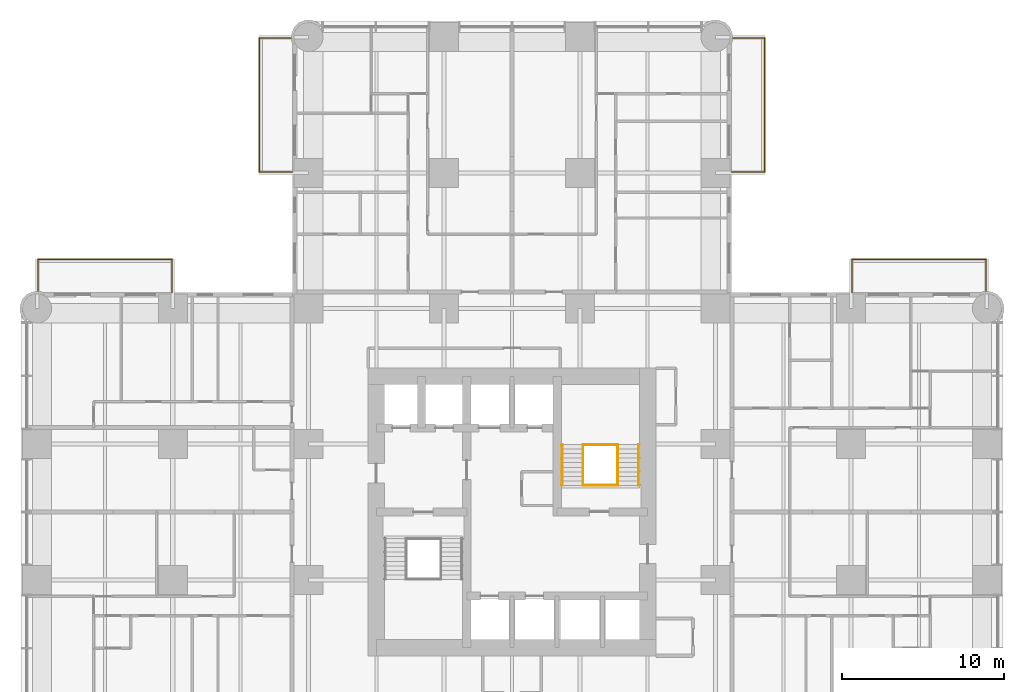
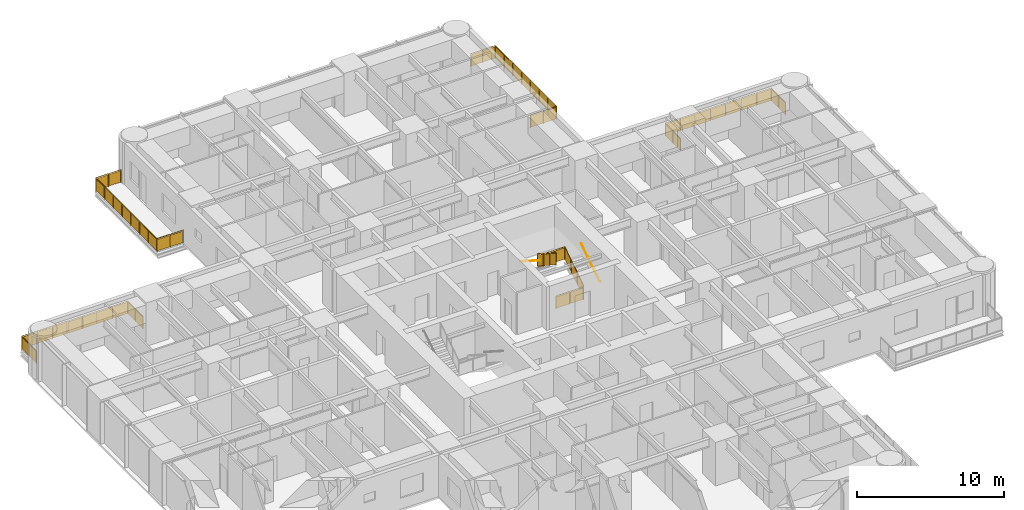
# One storey, part 17 of 17: 10 railings.
"""IFC4 building model written with IfcOpenShell, lengths in metres."""

from ifc_helpers import new_model, si_unit, direction, frame, origin, origin_2d, place, context, subcontext, project, spatial, polyline, circle, outline, extrude, material, constituent, constituent_set, type_object, element, save


model = new_model("IFC4")

# Units and contexts
model_context = context("Model", 3, precision=1e-05, world=origin(), true_north=direction((0.0, 1.0)))
body_context = subcontext(model_context, "Body", "Model", "MODEL_VIEW")
ifc_project = project(units=[si_unit("LENGTHUNIT", "METRE"), si_unit("AREAUNIT", "SQUARE_METRE"), si_unit("VOLUMEUNIT", "CUBIC_METRE"), si_unit("PLANEANGLEUNIT", "RADIAN"), si_unit("MASSUNIT", "GRAM", prefix="KILO")], contexts=[model_context])

# Site, building, storey
site_placement = place(None, origin())
site = spatial("IfcSite", under=ifc_project, at=site_placement, CompositionType="ELEMENT")
building_placement = place(site_placement, origin())
building = spatial("IfcBuilding", under=site, at=building_placement, Name="Torre Alcanfor", CompositionType="ELEMENT")
storey_placement = place(building_placement, frame((0.0, 0.0, 48.89990234375)))
storey = spatial("IfcBuildingStorey", under=building, at=storey_placement, Name="L11", CompositionType="ELEMENT", Elevation=48.89990234375)

# Railings
ifc_material_1 = material(Name="Laminated safety glass", Category="glass")
ifc_constituent_1 = constituent(ifc_material_1, Name="Infill")
ifc_material_2 = material(Name="Stainless steel ASTM A554 Grade MT 316L tube", Category="steel")
ifc_constituent_2 = constituent(ifc_material_2, Name="Posts and rail")
ifc_constituent_set = constituent_set(constituents=[ifc_constituent_1, ifc_constituent_2], Name="Balcony guard glass 1100")
railing_type_1 = type_object("IfcRailingType", Name="Balcony guard glass 1100", PredefinedType="BALUSTRADE", material=ifc_constituent_set)
railing_1_placement = place(storey_placement, frame((15.800048828125, 50.449951171875, 0.0)))
element("IfcRailing", 1, at=railing_1_placement, inside=storey, type_object=railing_type_1, Name="Balcony guard L11-N1", PredefinedType="BALUSTRADE", context=body_context, shape_type="SweptSolid", body=[
    extrude(circle(Radius=0.02392578125, at=origin_2d()), frame((0.0, 0.0, 1.076171875), z_axis=(-1.0, 0.0, 0.0), x_axis=(0.0, -1.0, 0.0)), (0.0, 0.0, 1.0), 2.050048828125),
    extrude(circle(Radius=0.02392578125, at=origin_2d()), frame((-2.050048828125, 0.0, 1.076171875), z_axis=(0.0, 1.0, 0.0), x_axis=(-1.0, 0.0, 0.0)), (0.0, 0.0, 1.0), 8.300048828125),
    extrude(circle(Radius=0.02392578125, at=origin_2d()), frame((-2.050048828125, 8.300048828125, 1.076171875), z_axis=(1.0, 0.0, 0.0), x_axis=(0.0, 1.0, 0.0)), (0.0, 0.0, 1.0), 1.968994140625),
    extrude(circle(Radius=0.02099609375, at=origin_2d()), origin(), (0.0, 0.0, 1.0), 1.052001953125),
    extrude(circle(Radius=0.02099609375, at=origin_2d()), frame((-1.02490234375, 0.0, 0.0)), (0.0, 0.0, 1.0), 1.052001953125),
    extrude(circle(Radius=0.02099609375, at=origin_2d()), frame((-2.050048828125, 0.0, 0.0)), (0.0, 0.0, 1.0), 1.052001953125),
    extrude(circle(Radius=0.02099609375, at=origin_2d()), frame((-2.050048828125, 1.185791015625, 0.0)), (0.0, 0.0, 1.0), 1.052001953125),
    extrude(circle(Radius=0.02099609375, at=origin_2d()), frame((-2.050048828125, 2.371337890625, 0.0)), (0.0, 0.0, 1.0), 1.052001953125),
    extrude(circle(Radius=0.02099609375, at=origin_2d()), frame((-2.050048828125, 3.55712890625, 0.0)), (0.0, 0.0, 1.0), 1.052001953125),
    extrude(circle(Radius=0.02099609375, at=origin_2d()), frame((-2.050048828125, 4.742919921875, 0.0)), (0.0, 0.0, 1.0), 1.052001953125),
    extrude(circle(Radius=0.02099609375, at=origin_2d()), frame((-2.050048828125, 5.9287109375, 0.0)), (0.0, 0.0, 1.0), 1.052001953125),
    extrude(circle(Radius=0.02099609375, at=origin_2d()), frame((-2.050048828125, 7.1142578125, 0.0)), (0.0, 0.0, 1.0), 1.052001953125),
    extrude(circle(Radius=0.02099609375, at=origin_2d()), frame((-2.050048828125, 8.300048828125, 0.0)), (0.0, 0.0, 1.0), 1.052001953125),
    extrude(circle(Radius=0.02099609375, at=origin_2d()), frame((-1.0654296875, 8.300048828125, 0.0)), (0.0, 0.0, 1.0), 1.052001953125),
    extrude(circle(Radius=0.02099609375, at=origin_2d()), frame((-0.0810546875, 8.300048828125, 0.0)), (0.0, 0.0, 1.0), 1.052001953125),
    extrude(outline(polyline([(0.041015625, 0.050048828125), (0.984130859375, 0.050048828125), (0.984130859375, 1.001953125), (0.041015625, 1.001953125), (0.041015625, 0.050048828125)])), frame((0.0, -0.005859375, 0.0), z_axis=(0.0, 1.0, 0.0), x_axis=(-1.0, 0.0, 0.0)), (0.0, 0.0, 1.0), 0.011962890625),
    extrude(outline(polyline([(1.06591796875, 0.050048828125), (2.009033203125, 0.050048828125), (2.009033203125, 1.001953125), (1.06591796875, 1.001953125), (1.06591796875, 0.050048828125)])), frame((0.0, -0.005859375, 0.0), z_axis=(0.0, 1.0, 0.0), x_axis=(-1.0, 0.0, 0.0)), (0.0, 0.0, 1.0), 0.011962890625),
    extrude(outline(polyline([(0.041015625, 0.050048828125), (1.144775390625, 0.050048828125), (1.144775390625, 1.001953125), (0.041015625, 1.001953125), (0.041015625, 0.050048828125)])), frame((-2.05615234375, 0.0, 0.0), z_axis=(1.0, 0.0, 0.0), x_axis=(0.0, 1.0, 0.0)), (0.0, 0.0, 1.0), 0.011962890625),
    extrude(outline(polyline([(1.226806640625, 0.050048828125), (2.330322265625, 0.050048828125), (2.330322265625, 1.001953125), (1.226806640625, 1.001953125), (1.226806640625, 0.050048828125)])), frame((-2.05615234375, 0.0, 0.0), z_axis=(1.0, 0.0, 0.0), x_axis=(0.0, 1.0, 0.0)), (0.0, 0.0, 1.0), 0.011962890625),
    extrude(outline(polyline([(2.412353515625, 0.050048828125), (3.51611328125, 0.050048828125), (3.51611328125, 1.001953125), (2.412353515625, 1.001953125), (2.412353515625, 0.050048828125)])), frame((-2.05615234375, 0.0, 0.0), z_axis=(1.0, 0.0, 0.0), x_axis=(0.0, 1.0, 0.0)), (0.0, 0.0, 1.0), 0.011962890625),
    extrude(outline(polyline([(3.59814453125, 0.050048828125), (4.701904296875, 0.050048828125), (4.701904296875, 1.001953125), (3.59814453125, 1.001953125), (3.59814453125, 0.050048828125)])), frame((-2.05615234375, 0.0, 0.0), z_axis=(1.0, 0.0, 0.0), x_axis=(0.0, 1.0, 0.0)), (0.0, 0.0, 1.0), 0.011962890625),
    extrude(outline(polyline([(4.783935546875, 0.050048828125), (5.8876953125, 0.050048828125), (5.8876953125, 1.001953125), (4.783935546875, 1.001953125), (4.783935546875, 0.050048828125)])), frame((-2.05615234375, 0.0, 0.0), z_axis=(1.0, 0.0, 0.0), x_axis=(0.0, 1.0, 0.0)), (0.0, 0.0, 1.0), 0.011962890625),
    extrude(outline(polyline([(5.9697265625, 0.050048828125), (7.0732421875, 0.050048828125), (7.0732421875, 1.001953125), (5.9697265625, 1.001953125), (5.9697265625, 0.050048828125)])), frame((-2.05615234375, 0.0, 0.0), z_axis=(1.0, 0.0, 0.0), x_axis=(0.0, 1.0, 0.0)), (0.0, 0.0, 1.0), 0.011962890625),
    extrude(outline(polyline([(7.1552734375, 0.050048828125), (8.259033203125, 0.050048828125), (8.259033203125, 1.001953125), (7.1552734375, 1.001953125), (7.1552734375, 0.050048828125)])), frame((-2.05615234375, 0.0, 0.0), z_axis=(1.0, 0.0, 0.0), x_axis=(0.0, 1.0, 0.0)), (0.0, 0.0, 1.0), 0.011962890625),
    extrude(outline(polyline([(0.041015625, 0.050048828125), (0.943603515625, 0.050048828125), (0.943603515625, 1.001953125), (0.041015625, 1.001953125), (0.041015625, 0.050048828125)])), frame((-2.050048828125, 8.30615234375, 0.0), z_axis=(0.0, -1.0, 0.0), x_axis=(1.0, 0.0, 0.0)), (0.0, 0.0, 1.0), 0.011962890625),
    extrude(outline(polyline([(1.025390625, 0.050048828125), (1.927978515625, 0.050048828125), (1.927978515625, 1.001953125), (1.025390625, 1.001953125), (1.025390625, 0.050048828125)])), frame((-2.050048828125, 8.30615234375, 0.0), z_axis=(0.0, -1.0, 0.0), x_axis=(1.0, 0.0, 0.0)), (0.0, 0.0, 1.0), 0.011962890625),
])
railing_2_placement = place(storey_placement, frame((43.0, 50.449951171875, 0.0)))
element("IfcRailing", 2, at=railing_2_placement, inside=storey, type_object=railing_type_1, Name="Balcony guard L11-N2", PredefinedType="BALUSTRADE", context=body_context, shape_type="SweptSolid", body=[
    extrude(circle(Radius=0.02392578125, at=origin_2d()), frame((0.0, 0.0, 1.076171875), z_axis=(1.0, 0.0, 0.0), x_axis=(0.0, 1.0, 0.0)), (0.0, 0.0, 1.0), 2.050048828125),
    extrude(circle(Radius=0.02392578125, at=origin_2d()), frame((2.050048828125, 0.0, 1.076171875), z_axis=(0.0, 1.0, 0.0), x_axis=(-1.0, 0.0, 0.0)), (0.0, 0.0, 1.0), 8.300048828125),
    extrude(circle(Radius=0.02392578125, at=origin_2d()), frame((2.050048828125, 8.300048828125, 1.076171875), z_axis=(-1.0, 0.0, 0.0), x_axis=(0.0, -1.0, 0.0)), (0.0, 0.0, 1.0), 1.968994140625),
    extrude(circle(Radius=0.02099609375, at=origin_2d()), origin(), (0.0, 0.0, 1.0), 1.052001953125),
    extrude(circle(Radius=0.02099609375, at=origin_2d()), frame((1.02490234375, 0.0, 0.0)), (0.0, 0.0, 1.0), 1.052001953125),
    extrude(circle(Radius=0.02099609375, at=origin_2d()), frame((2.050048828125, 0.0, 0.0)), (0.0, 0.0, 1.0), 1.052001953125),
    extrude(circle(Radius=0.02099609375, at=origin_2d()), frame((2.050048828125, 1.185791015625, 0.0)), (0.0, 0.0, 1.0), 1.052001953125),
    extrude(circle(Radius=0.02099609375, at=origin_2d()), frame((2.050048828125, 2.371337890625, 0.0)), (0.0, 0.0, 1.0), 1.052001953125),
    extrude(circle(Radius=0.02099609375, at=origin_2d()), frame((2.050048828125, 3.55712890625, 0.0)), (0.0, 0.0, 1.0), 1.052001953125),
    extrude(circle(Radius=0.02099609375, at=origin_2d()), frame((2.050048828125, 4.742919921875, 0.0)), (0.0, 0.0, 1.0), 1.052001953125),
    extrude(circle(Radius=0.02099609375, at=origin_2d()), frame((2.050048828125, 5.9287109375, 0.0)), (0.0, 0.0, 1.0), 1.052001953125),
    extrude(circle(Radius=0.02099609375, at=origin_2d()), frame((2.050048828125, 7.1142578125, 0.0)), (0.0, 0.0, 1.0), 1.052001953125),
    extrude(circle(Radius=0.02099609375, at=origin_2d()), frame((2.050048828125, 8.300048828125, 0.0)), (0.0, 0.0, 1.0), 1.052001953125),
    extrude(circle(Radius=0.02099609375, at=origin_2d()), frame((1.0654296875, 8.300048828125, 0.0)), (0.0, 0.0, 1.0), 1.052001953125),
    extrude(circle(Radius=0.02099609375, at=origin_2d()), frame((0.0810546875, 8.300048828125, 0.0)), (0.0, 0.0, 1.0), 1.052001953125),
    extrude(outline(polyline([(0.041015625, 0.050048828125), (0.984130859375, 0.050048828125), (0.984130859375, 1.001953125), (0.041015625, 1.001953125), (0.041015625, 0.050048828125)])), frame((0.0, 0.005859375, 0.0), z_axis=(0.0, -1.0, 0.0), x_axis=(1.0, 0.0, 0.0)), (0.0, 0.0, 1.0), 0.011962890625),
    extrude(outline(polyline([(1.06591796875, 0.050048828125), (2.009033203125, 0.050048828125), (2.009033203125, 1.001953125), (1.06591796875, 1.001953125), (1.06591796875, 0.050048828125)])), frame((0.0, 0.005859375, 0.0), z_axis=(0.0, -1.0, 0.0), x_axis=(1.0, 0.0, 0.0)), (0.0, 0.0, 1.0), 0.011962890625),
    extrude(outline(polyline([(0.041015625, 0.050048828125), (1.144775390625, 0.050048828125), (1.144775390625, 1.001953125), (0.041015625, 1.001953125), (0.041015625, 0.050048828125)])), frame((2.0439453125, 0.0, 0.0), z_axis=(1.0, 0.0, 0.0), x_axis=(0.0, 1.0, 0.0)), (0.0, 0.0, 1.0), 0.011962890625),
    extrude(outline(polyline([(1.226806640625, 0.050048828125), (2.330322265625, 0.050048828125), (2.330322265625, 1.001953125), (1.226806640625, 1.001953125), (1.226806640625, 0.050048828125)])), frame((2.0439453125, 0.0, 0.0), z_axis=(1.0, 0.0, 0.0), x_axis=(0.0, 1.0, 0.0)), (0.0, 0.0, 1.0), 0.011962890625),
    extrude(outline(polyline([(2.412353515625, 0.050048828125), (3.51611328125, 0.050048828125), (3.51611328125, 1.001953125), (2.412353515625, 1.001953125), (2.412353515625, 0.050048828125)])), frame((2.0439453125, 0.0, 0.0), z_axis=(1.0, 0.0, 0.0), x_axis=(0.0, 1.0, 0.0)), (0.0, 0.0, 1.0), 0.011962890625),
    extrude(outline(polyline([(3.59814453125, 0.050048828125), (4.701904296875, 0.050048828125), (4.701904296875, 1.001953125), (3.59814453125, 1.001953125), (3.59814453125, 0.050048828125)])), frame((2.0439453125, 0.0, 0.0), z_axis=(1.0, 0.0, 0.0), x_axis=(0.0, 1.0, 0.0)), (0.0, 0.0, 1.0), 0.011962890625),
    extrude(outline(polyline([(4.783935546875, 0.050048828125), (5.8876953125, 0.050048828125), (5.8876953125, 1.001953125), (4.783935546875, 1.001953125), (4.783935546875, 0.050048828125)])), frame((2.0439453125, 0.0, 0.0), z_axis=(1.0, 0.0, 0.0), x_axis=(0.0, 1.0, 0.0)), (0.0, 0.0, 1.0), 0.011962890625),
    extrude(outline(polyline([(5.9697265625, 0.050048828125), (7.0732421875, 0.050048828125), (7.0732421875, 1.001953125), (5.9697265625, 1.001953125), (5.9697265625, 0.050048828125)])), frame((2.0439453125, 0.0, 0.0), z_axis=(1.0, 0.0, 0.0), x_axis=(0.0, 1.0, 0.0)), (0.0, 0.0, 1.0), 0.011962890625),
    extrude(outline(polyline([(7.1552734375, 0.050048828125), (8.259033203125, 0.050048828125), (8.259033203125, 1.001953125), (7.1552734375, 1.001953125), (7.1552734375, 0.050048828125)])), frame((2.0439453125, 0.0, 0.0), z_axis=(1.0, 0.0, 0.0), x_axis=(0.0, 1.0, 0.0)), (0.0, 0.0, 1.0), 0.011962890625),
    extrude(outline(polyline([(0.041015625, 0.050048828125), (0.943603515625, 0.050048828125), (0.943603515625, 1.001953125), (0.041015625, 1.001953125), (0.041015625, 0.050048828125)])), frame((2.050048828125, 8.2939453125, 0.0), z_axis=(0.0, 1.0, 0.0), x_axis=(-1.0, 0.0, 0.0)), (0.0, 0.0, 1.0), 0.011962890625),
    extrude(outline(polyline([(1.025390625, 0.050048828125), (1.927978515625, 0.050048828125), (1.927978515625, 1.001953125), (1.025390625, 1.001953125), (1.025390625, 0.050048828125)])), frame((2.050048828125, 8.2939453125, 0.0), z_axis=(0.0, 1.0, 0.0), x_axis=(-1.0, 0.0, 0.0)), (0.0, 0.0, 1.0), 0.011962890625),
])
railing_3_placement = place(storey_placement, frame((50.449951171875, 43.0, 0.0)))
element("IfcRailing", 3, at=railing_3_placement, inside=storey, type_object=railing_type_1, Name="Balcony guard L11-E1", PredefinedType="BALUSTRADE", context=body_context, shape_type="SweptSolid", body=[
    extrude(circle(Radius=0.02392578125, at=origin_2d()), frame((0.0, 0.0, 1.076171875), z_axis=(0.0, 1.0, 0.0), x_axis=(-1.0, 0.0, 0.0)), (0.0, 0.0, 1.0), 2.050048828125),
    extrude(circle(Radius=0.02392578125, at=origin_2d()), frame((0.0, 2.050048828125, 1.076171875), z_axis=(1.0, 0.0, 0.0), x_axis=(0.0, 1.0, 0.0)), (0.0, 0.0, 1.0), 8.300048828125),
    extrude(circle(Radius=0.02392578125, at=origin_2d()), frame((8.300048828125, 2.050048828125, 1.076171875), z_axis=(0.0, -1.0, 0.0), x_axis=(1.0, 0.0, 0.0)), (0.0, 0.0, 1.0), 1.968994140625),
    extrude(circle(Radius=0.02099609375, at=origin_2d()), origin(), (0.0, 0.0, 1.0), 1.052001953125),
    extrude(circle(Radius=0.02099609375, at=origin_2d()), frame((0.0, 1.02490234375, 0.0)), (0.0, 0.0, 1.0), 1.052001953125),
    extrude(circle(Radius=0.02099609375, at=origin_2d()), frame((0.0, 2.050048828125, 0.0)), (0.0, 0.0, 1.0), 1.052001953125),
    extrude(circle(Radius=0.02099609375, at=origin_2d()), frame((1.185791015625, 2.050048828125, 0.0)), (0.0, 0.0, 1.0), 1.052001953125),
    extrude(circle(Radius=0.02099609375, at=origin_2d()), frame((2.371337890625, 2.050048828125, 0.0)), (0.0, 0.0, 1.0), 1.052001953125),
    extrude(circle(Radius=0.02099609375, at=origin_2d()), frame((3.55712890625, 2.050048828125, 0.0)), (0.0, 0.0, 1.0), 1.052001953125),
    extrude(circle(Radius=0.02099609375, at=origin_2d()), frame((4.742919921875, 2.050048828125, 0.0)), (0.0, 0.0, 1.0), 1.052001953125),
    extrude(circle(Radius=0.02099609375, at=origin_2d()), frame((5.9287109375, 2.050048828125, 0.0)), (0.0, 0.0, 1.0), 1.052001953125),
    extrude(circle(Radius=0.02099609375, at=origin_2d()), frame((7.1142578125, 2.050048828125, 0.0)), (0.0, 0.0, 1.0), 1.052001953125),
    extrude(circle(Radius=0.02099609375, at=origin_2d()), frame((8.300048828125, 2.050048828125, 0.0)), (0.0, 0.0, 1.0), 1.052001953125),
    extrude(circle(Radius=0.02099609375, at=origin_2d()), frame((8.300048828125, 1.0654296875, 0.0)), (0.0, 0.0, 1.0), 1.052001953125),
    extrude(circle(Radius=0.02099609375, at=origin_2d()), frame((8.300048828125, 0.0810546875, 0.0)), (0.0, 0.0, 1.0), 1.052001953125),
    extrude(outline(polyline([(0.041015625, 0.050048828125), (0.984130859375, 0.050048828125), (0.984130859375, 1.001953125), (0.041015625, 1.001953125), (0.041015625, 0.050048828125)])), frame((-0.005859375, 0.0, 0.0), z_axis=(1.0, 0.0, 0.0), x_axis=(0.0, 1.0, 0.0)), (0.0, 0.0, 1.0), 0.011962890625),
    extrude(outline(polyline([(1.06591796875, 0.050048828125), (2.009033203125, 0.050048828125), (2.009033203125, 1.001953125), (1.06591796875, 1.001953125), (1.06591796875, 0.050048828125)])), frame((-0.005859375, 0.0, 0.0), z_axis=(1.0, 0.0, 0.0), x_axis=(0.0, 1.0, 0.0)), (0.0, 0.0, 1.0), 0.011962890625),
    extrude(outline(polyline([(0.041015625, 0.050048828125), (1.144775390625, 0.050048828125), (1.144775390625, 1.001953125), (0.041015625, 1.001953125), (0.041015625, 0.050048828125)])), frame((0.0, 2.05615234375, 0.0), z_axis=(0.0, -1.0, 0.0), x_axis=(1.0, 0.0, 0.0)), (0.0, 0.0, 1.0), 0.011962890625),
    extrude(outline(polyline([(1.226806640625, 0.050048828125), (2.330322265625, 0.050048828125), (2.330322265625, 1.001953125), (1.226806640625, 1.001953125), (1.226806640625, 0.050048828125)])), frame((0.0, 2.05615234375, 0.0), z_axis=(0.0, -1.0, 0.0), x_axis=(1.0, 0.0, 0.0)), (0.0, 0.0, 1.0), 0.011962890625),
    extrude(outline(polyline([(2.412353515625, 0.050048828125), (3.51611328125, 0.050048828125), (3.51611328125, 1.001953125), (2.412353515625, 1.001953125), (2.412353515625, 0.050048828125)])), frame((0.0, 2.05615234375, 0.0), z_axis=(0.0, -1.0, 0.0), x_axis=(1.0, 0.0, 0.0)), (0.0, 0.0, 1.0), 0.011962890625),
    extrude(outline(polyline([(3.59814453125, 0.050048828125), (4.701904296875, 0.050048828125), (4.701904296875, 1.001953125), (3.59814453125, 1.001953125), (3.59814453125, 0.050048828125)])), frame((0.0, 2.05615234375, 0.0), z_axis=(0.0, -1.0, 0.0), x_axis=(1.0, 0.0, 0.0)), (0.0, 0.0, 1.0), 0.011962890625),
    extrude(outline(polyline([(4.783935546875, 0.050048828125), (5.8876953125, 0.050048828125), (5.8876953125, 1.001953125), (4.783935546875, 1.001953125), (4.783935546875, 0.050048828125)])), frame((0.0, 2.05615234375, 0.0), z_axis=(0.0, -1.0, 0.0), x_axis=(1.0, 0.0, 0.0)), (0.0, 0.0, 1.0), 0.011962890625),
    extrude(outline(polyline([(5.9697265625, 0.050048828125), (7.0732421875, 0.050048828125), (7.0732421875, 1.001953125), (5.9697265625, 1.001953125), (5.9697265625, 0.050048828125)])), frame((0.0, 2.05615234375, 0.0), z_axis=(0.0, -1.0, 0.0), x_axis=(1.0, 0.0, 0.0)), (0.0, 0.0, 1.0), 0.011962890625),
    extrude(outline(polyline([(7.1552734375, 0.050048828125), (8.259033203125, 0.050048828125), (8.259033203125, 1.001953125), (7.1552734375, 1.001953125), (7.1552734375, 0.050048828125)])), frame((0.0, 2.05615234375, 0.0), z_axis=(0.0, -1.0, 0.0), x_axis=(1.0, 0.0, 0.0)), (0.0, 0.0, 1.0), 0.011962890625),
    extrude(outline(polyline([(0.041015625, 0.050048828125), (0.943603515625, 0.050048828125), (0.943603515625, 1.001953125), (0.041015625, 1.001953125), (0.041015625, 0.050048828125)])), frame((8.30615234375, 2.050048828125, 0.0), z_axis=(-1.0, 0.0, 0.0), x_axis=(0.0, -1.0, 0.0)), (0.0, 0.0, 1.0), 0.011962890625),
    extrude(outline(polyline([(1.025390625, 0.050048828125), (1.927978515625, 0.050048828125), (1.927978515625, 1.001953125), (1.025390625, 1.001953125), (1.025390625, 0.050048828125)])), frame((8.30615234375, 2.050048828125, 0.0), z_axis=(-1.0, 0.0, 0.0), x_axis=(0.0, -1.0, 0.0)), (0.0, 0.0, 1.0), 0.011962890625),
])
railing_4_placement = place(storey_placement, frame((8.35009765625, 43.0, 0.0)))
element("IfcRailing", 4, at=railing_4_placement, inside=storey, type_object=railing_type_1, Name="Balcony guard L11-W2", PredefinedType="BALUSTRADE", context=body_context, shape_type="SweptSolid", body=[
    extrude(circle(Radius=0.02392578125, at=origin_2d()), frame((0.0, 0.0, 1.076171875), z_axis=(0.0, 1.0, 0.0), x_axis=(-1.0, 0.0, 0.0)), (0.0, 0.0, 1.0), 2.050048828125),
    extrude(circle(Radius=0.02392578125, at=origin_2d()), frame((0.0, 2.050048828125, 1.076171875), z_axis=(-1.0, 0.0, 0.0), x_axis=(0.0, -1.0, 0.0)), (0.0, 0.0, 1.0), 8.300048828125),
    extrude(circle(Radius=0.02392578125, at=origin_2d()), frame((-8.300048828125, 2.050048828125, 1.076171875), z_axis=(0.0, -1.0, 0.0), x_axis=(1.0, 0.0, 0.0)), (0.0, 0.0, 1.0), 1.968994140625),
    extrude(circle(Radius=0.02099609375, at=origin_2d()), origin(), (0.0, 0.0, 1.0), 1.052001953125),
    extrude(circle(Radius=0.02099609375, at=origin_2d()), frame((0.0, 1.02490234375, 0.0)), (0.0, 0.0, 1.0), 1.052001953125),
    extrude(circle(Radius=0.02099609375, at=origin_2d()), frame((0.0, 2.050048828125, 0.0)), (0.0, 0.0, 1.0), 1.052001953125),
    extrude(circle(Radius=0.02099609375, at=origin_2d()), frame((-1.185791015625, 2.050048828125, 0.0)), (0.0, 0.0, 1.0), 1.052001953125),
    extrude(circle(Radius=0.02099609375, at=origin_2d()), frame((-2.371337890625, 2.050048828125, 0.0)), (0.0, 0.0, 1.0), 1.052001953125),
    extrude(circle(Radius=0.02099609375, at=origin_2d()), frame((-3.55712890625, 2.050048828125, 0.0)), (0.0, 0.0, 1.0), 1.052001953125),
    extrude(circle(Radius=0.02099609375, at=origin_2d()), frame((-4.742919921875, 2.050048828125, 0.0)), (0.0, 0.0, 1.0), 1.052001953125),
    extrude(circle(Radius=0.02099609375, at=origin_2d()), frame((-5.9287109375, 2.050048828125, 0.0)), (0.0, 0.0, 1.0), 1.052001953125),
    extrude(circle(Radius=0.02099609375, at=origin_2d()), frame((-7.1142578125, 2.050048828125, 0.0)), (0.0, 0.0, 1.0), 1.052001953125),
    extrude(circle(Radius=0.02099609375, at=origin_2d()), frame((-8.300048828125, 2.050048828125, 0.0)), (0.0, 0.0, 1.0), 1.052001953125),
    extrude(circle(Radius=0.02099609375, at=origin_2d()), frame((-8.300048828125, 1.0654296875, 0.0)), (0.0, 0.0, 1.0), 1.052001953125),
    extrude(circle(Radius=0.02099609375, at=origin_2d()), frame((-8.300048828125, 0.0810546875, 0.0)), (0.0, 0.0, 1.0), 1.052001953125),
    extrude(outline(polyline([(0.041015625, 0.050048828125), (0.984130859375, 0.050048828125), (0.984130859375, 1.001953125), (0.041015625, 1.001953125), (0.041015625, 0.050048828125)])), frame((-0.005859375, 0.0, 0.0), z_axis=(1.0, 0.0, 0.0), x_axis=(0.0, 1.0, 0.0)), (0.0, 0.0, 1.0), 0.011962890625),
    extrude(outline(polyline([(1.06591796875, 0.050048828125), (2.009033203125, 0.050048828125), (2.009033203125, 1.001953125), (1.06591796875, 1.001953125), (1.06591796875, 0.050048828125)])), frame((-0.005859375, 0.0, 0.0), z_axis=(1.0, 0.0, 0.0), x_axis=(0.0, 1.0, 0.0)), (0.0, 0.0, 1.0), 0.011962890625),
    extrude(outline(polyline([(0.041015625, 0.050048828125), (1.144775390625, 0.050048828125), (1.144775390625, 1.001953125), (0.041015625, 1.001953125), (0.041015625, 0.050048828125)])), frame((0.0, 2.0439453125, 0.0), z_axis=(0.0, 1.0, 0.0), x_axis=(-1.0, 0.0, 0.0)), (0.0, 0.0, 1.0), 0.011962890625),
    extrude(outline(polyline([(1.226806640625, 0.050048828125), (2.330322265625, 0.050048828125), (2.330322265625, 1.001953125), (1.226806640625, 1.001953125), (1.226806640625, 0.050048828125)])), frame((0.0, 2.0439453125, 0.0), z_axis=(0.0, 1.0, 0.0), x_axis=(-1.0, 0.0, 0.0)), (0.0, 0.0, 1.0), 0.011962890625),
    extrude(outline(polyline([(2.412353515625, 0.050048828125), (3.51611328125, 0.050048828125), (3.51611328125, 1.001953125), (2.412353515625, 1.001953125), (2.412353515625, 0.050048828125)])), frame((0.0, 2.0439453125, 0.0), z_axis=(0.0, 1.0, 0.0), x_axis=(-1.0, 0.0, 0.0)), (0.0, 0.0, 1.0), 0.011962890625),
    extrude(outline(polyline([(3.59814453125, 0.050048828125), (4.701904296875, 0.050048828125), (4.701904296875, 1.001953125), (3.59814453125, 1.001953125), (3.59814453125, 0.050048828125)])), frame((0.0, 2.0439453125, 0.0), z_axis=(0.0, 1.0, 0.0), x_axis=(-1.0, 0.0, 0.0)), (0.0, 0.0, 1.0), 0.011962890625),
    extrude(outline(polyline([(4.783935546875, 0.050048828125), (5.8876953125, 0.050048828125), (5.8876953125, 1.001953125), (4.783935546875, 1.001953125), (4.783935546875, 0.050048828125)])), frame((0.0, 2.0439453125, 0.0), z_axis=(0.0, 1.0, 0.0), x_axis=(-1.0, 0.0, 0.0)), (0.0, 0.0, 1.0), 0.011962890625),
    extrude(outline(polyline([(5.9697265625, 0.050048828125), (7.0732421875, 0.050048828125), (7.0732421875, 1.001953125), (5.9697265625, 1.001953125), (5.9697265625, 0.050048828125)])), frame((0.0, 2.0439453125, 0.0), z_axis=(0.0, 1.0, 0.0), x_axis=(-1.0, 0.0, 0.0)), (0.0, 0.0, 1.0), 0.011962890625),
    extrude(outline(polyline([(7.1552734375, 0.050048828125), (8.259033203125, 0.050048828125), (8.259033203125, 1.001953125), (7.1552734375, 1.001953125), (7.1552734375, 0.050048828125)])), frame((0.0, 2.0439453125, 0.0), z_axis=(0.0, 1.0, 0.0), x_axis=(-1.0, 0.0, 0.0)), (0.0, 0.0, 1.0), 0.011962890625),
    extrude(outline(polyline([(0.041015625, 0.050048828125), (0.943603515625, 0.050048828125), (0.943603515625, 1.001953125), (0.041015625, 1.001953125), (0.041015625, 0.050048828125)])), frame((-8.2939453125, 2.050048828125, 0.0), z_axis=(-1.0, 0.0, 0.0), x_axis=(0.0, -1.0, 0.0)), (0.0, 0.0, 1.0), 0.011962890625),
    extrude(outline(polyline([(1.025390625, 0.050048828125), (1.927978515625, 0.050048828125), (1.927978515625, 1.001953125), (1.025390625, 1.001953125), (1.025390625, 0.050048828125)])), frame((-8.2939453125, 2.050048828125, 0.0), z_axis=(-1.0, 0.0, 0.0), x_axis=(0.0, -1.0, 0.0)), (0.0, 0.0, 1.0), 0.011962890625),
])
ifc_material_3 = material(Name="Steel ASTM A500 Grade C hollow sections", Category="steel")
railing_type_2 = type_object("IfcRailingType", Name="Stair guard and handrail 1100", PredefinedType="GUARDRAIL", material=ifc_material_3)
railing_5_placement = place(storey_placement, frame((35.949951171875, 31.050048828125, 0.18017578125)))
element("IfcRailing", 5, at=railing_5_placement, inside=storey, type_object=railing_type_2, Name="Stair guard S2 L11 flight 1", PredefinedType="GUARDRAIL", context=body_context, shape_type="SweptSolid", body=[
    extrude(circle(Radius=0.02392578125, at=origin_2d()), frame((0.0, 0.0, 1.076171875), z_axis=(0.0, 0.841199657755, 0.540724639528), x_axis=(-1.0, 0.0, 0.0)), (0.0, 0.0, 1.0), 2.995849609375),
    extrude(circle(Radius=0.02099609375, at=origin_2d()), origin(), (0.0, 0.0, 1.0), 1.052001953125),
    extrude(circle(Radius=0.02099609375, at=origin_2d()), frame((0.0, 0.840087890625, 0.5400390625)), (0.0, 0.0, 1.0), 1.052001953125),
    extrude(circle(Radius=0.02099609375, at=origin_2d()), frame((0.0, 1.679931640625, 1.079833984375)), (0.0, 0.0, 1.0), 1.052001953125),
    extrude(circle(Radius=0.02099609375, at=origin_2d()), frame((0.0, 2.52001953125, 1.619873046875)), (0.0, 0.0, 1.0), 1.052001953125),
    extrude(outline(polyline([(0.041015625, 0.076416015625), (0.799072265625, 0.563720703125), (0.799072265625, 1.515625), (0.041015625, 1.0283203125), (0.041015625, 0.076416015625)])), frame((-0.005859375, 0.0, 0.0), z_axis=(1.0, 0.0, 0.0), x_axis=(0.0, 1.0, 0.0)), (0.0, 0.0, 1.0), 0.011962890625),
    extrude(outline(polyline([(0.881103515625, 0.6162109375), (1.638916015625, 1.103515625), (1.638916015625, 2.0556640625), (0.881103515625, 1.568359375), (0.881103515625, 0.6162109375)])), frame((-0.005859375, 0.0, 0.0), z_axis=(1.0, 0.0, 0.0), x_axis=(0.0, 1.0, 0.0)), (0.0, 0.0, 1.0), 0.011962890625),
    extrude(outline(polyline([(1.720947265625, 1.15625), (2.47900390625, 1.6435546875), (2.47900390625, 2.595458984375), (1.720947265625, 2.108154296875), (1.720947265625, 1.15625)])), frame((-0.005859375, 0.0, 0.0), z_axis=(1.0, 0.0, 0.0), x_axis=(0.0, 1.0, 0.0)), (0.0, 0.0, 1.0), 0.011962890625),
])
railing_6_placement = place(storey_placement, frame((33.800048828125, 33.570068359375, 1.97998046875)))
element("IfcRailing", 6, at=railing_6_placement, inside=storey, type_object=railing_type_2, Name="Stair guard S2 L11 flight 2", PredefinedType="GUARDRAIL", context=body_context, shape_type="SweptSolid", body=[
    extrude(circle(Radius=0.02392578125, at=origin_2d()), frame((0.0, 0.0, 1.076171875), z_axis=(0.0, -0.841162588446, 0.540782303519), x_axis=(1.0, 0.0, 0.0)), (0.0, 0.0, 1.0), 2.995849609375),
    extrude(circle(Radius=0.02099609375, at=origin_2d()), origin(), (0.0, 0.0, 1.0), 1.052001953125),
    extrude(circle(Radius=0.02099609375, at=origin_2d()), frame((0.0, -0.840087890625, 0.5400390625)), (0.0, 0.0, 1.0), 1.052001953125),
    extrude(circle(Radius=0.02099609375, at=origin_2d()), frame((0.0, -1.679931640625, 1.080078125)), (0.0, 0.0, 1.0), 1.052001953125),
    extrude(circle(Radius=0.02099609375, at=origin_2d()), frame((0.0, -2.52001953125, 1.6201171875)), (0.0, 0.0, 1.0), 1.052001953125),
    extrude(outline(polyline([(0.041015625, 0.076416015625), (0.799072265625, 0.563720703125), (0.799072265625, 1.515625), (0.041015625, 1.0283203125), (0.041015625, 0.076416015625)])), frame((0.005859375, 0.0, 0.0), z_axis=(-1.0, 0.0, 0.0), x_axis=(0.0, -1.0, 0.0)), (0.0, 0.0, 1.0), 0.011962890625),
    extrude(outline(polyline([(0.881103515625, 0.616455078125), (1.638916015625, 1.103759765625), (1.638916015625, 2.0556640625), (0.881103515625, 1.568359375), (0.881103515625, 0.616455078125)])), frame((0.005859375, 0.0, 0.0), z_axis=(-1.0, 0.0, 0.0), x_axis=(0.0, -1.0, 0.0)), (0.0, 0.0, 1.0), 0.011962890625),
    extrude(outline(polyline([(1.720947265625, 1.156494140625), (2.47900390625, 1.643798828125), (2.47900390625, 2.595703125), (1.720947265625, 2.1083984375), (1.720947265625, 1.156494140625)])), frame((0.005859375, 0.0, 0.0), z_axis=(-1.0, 0.0, 0.0), x_axis=(0.0, -1.0, 0.0)), (0.0, 0.0, 1.0), 0.011962890625),
])
for number, where, name in (
    (7, (33.800048828125, 31.050048828125, 0.0), "Stair well guard S2 L11 floor landing"),
    (8, (33.800048828125, 33.570068359375, 1.800048828125), "Stair well guard S2 L11 half landing"),
):
    element("IfcRailing", number, at=place(storey_placement, frame(where)), inside=storey, type_object=railing_type_2, Name=name, PredefinedType="GUARDRAIL", context=body_context, shape_type="SweptSolid", body=[
        extrude(circle(Radius=0.02392578125, at=origin_2d()), frame((0.0, 0.0, 1.076171875), z_axis=(1.0, 0.0, 0.0), x_axis=(0.0, 1.0, 0.0)), (0.0, 0.0, 1.0), 2.14990234375),
        extrude(circle(Radius=0.02099609375, at=origin_2d()), origin(), (0.0, 0.0, 1.0), 1.052001953125),
        extrude(circle(Radius=0.02099609375, at=origin_2d()), frame((1.074951171875, 0.0, 0.0)), (0.0, 0.0, 1.0), 1.052001953125),
        extrude(circle(Radius=0.02099609375, at=origin_2d()), frame((2.14990234375, 0.0, 0.0)), (0.0, 0.0, 1.0), 1.052001953125),
        extrude(outline(polyline([(0.041015625, 0.050048828125), (1.033935546875, 0.050048828125), (1.033935546875, 1.001953125), (0.041015625, 1.001953125), (0.041015625, 0.050048828125)])), frame((0.0, 0.005859375, 0.0), z_axis=(0.0, -1.0, 0.0), x_axis=(1.0, 0.0, 0.0)), (0.0, 0.0, 1.0), 0.011962890625),
        extrude(outline(polyline([(1.115966796875, 0.050048828125), (2.10888671875, 0.050048828125), (2.10888671875, 1.001953125), (1.115966796875, 1.001953125), (1.115966796875, 0.050048828125)])), frame((0.0, 0.005859375, 0.0), z_axis=(0.0, -1.0, 0.0), x_axis=(1.0, 0.0, 0.0)), (0.0, 0.0, 1.0), 0.011962890625),
    ])
ifc_material_4 = material(Name="Steel ASTM A500 Grade C hollow sections", Category="steel")
railing_type_3 = type_object("IfcRailingType", Name="Stair wall handrail 900", PredefinedType="HANDRAIL", material=ifc_material_4)
railing_7_placement = place(storey_placement, frame((37.235107421875, 31.050048828125, 0.18017578125)))
element("IfcRailing", 9, at=railing_7_placement, inside=storey, type_object=railing_type_3, Name="Stair handrail S2 L11 flight 1", PredefinedType="HANDRAIL", context=body_context, shape_type="SweptSolid", body=[
    extrude(circle(Radius=0.02392578125, at=origin_2d()), frame((0.0, 0.0, 0.8759765625), z_axis=(0.0, 0.841199657755, 0.540724639528), x_axis=(-1.0, 0.0, 0.0)), (0.0, 0.0, 1.0), 2.995849609375),
    extrude(circle(Radius=0.008056640625, at=origin_2d()), frame((0.0, 0.0, 0.8759765625), z_axis=(1.0, 0.0, 0.0), x_axis=(0.0, 0.0, 1.0)), (0.0, 0.0, 1.0), 0.06494140625),
    extrude(circle(Radius=0.008056640625, at=origin_2d()), frame((0.0, 0.840087890625, 1.415771484375), z_axis=(1.0, 0.0, 0.0), x_axis=(0.0, 0.0, 1.0)), (0.0, 0.0, 1.0), 0.06494140625),
    extrude(circle(Radius=0.008056640625, at=origin_2d()), frame((0.0, 1.679931640625, 1.955810546875), z_axis=(1.0, 0.0, 0.0), x_axis=(0.0, 0.0, 1.0)), (0.0, 0.0, 1.0), 0.06494140625),
    extrude(circle(Radius=0.008056640625, at=origin_2d()), frame((0.0, 2.52001953125, 2.49560546875), z_axis=(1.0, 0.0, 0.0), x_axis=(0.0, 0.0, 1.0)), (0.0, 0.0, 1.0), 0.06494140625),
])
railing_8_placement = place(storey_placement, frame((32.514892578125, 33.570068359375, 1.97998046875)))
element("IfcRailing", 10, at=railing_8_placement, inside=storey, type_object=railing_type_3, Name="Stair handrail S2 L11 flight 2", PredefinedType="HANDRAIL", context=body_context, shape_type="SweptSolid", body=[
    extrude(circle(Radius=0.02392578125, at=origin_2d()), frame((0.0, 0.0, 0.8759765625), z_axis=(0.0, -0.841162588446, 0.540782303519), x_axis=(1.0, 0.0, 0.0)), (0.0, 0.0, 1.0), 2.995849609375),
    extrude(circle(Radius=0.008056640625, at=origin_2d()), frame((0.0, 0.0, 0.8759765625), z_axis=(-1.0, 0.0, 0.0), x_axis=(0.0, 0.0, 1.0)), (0.0, 0.0, 1.0), 0.06494140625),
    extrude(circle(Radius=0.008056640625, at=origin_2d()), frame((0.0, -0.840087890625, 1.416015625), z_axis=(-1.0, 0.0, 0.0), x_axis=(0.0, 0.0, 1.0)), (0.0, 0.0, 1.0), 0.06494140625),
    extrude(circle(Radius=0.008056640625, at=origin_2d()), frame((0.0, -1.679931640625, 1.9560546875), z_axis=(-1.0, 0.0, 0.0), x_axis=(0.0, 0.0, 1.0)), (0.0, 0.0, 1.0), 0.06494140625),
    extrude(circle(Radius=0.008056640625, at=origin_2d()), frame((0.0, -2.52001953125, 2.49609375), z_axis=(-1.0, 0.0, 0.0), x_axis=(0.0, 0.0, 1.0)), (0.0, 0.0, 1.0), 0.06494140625),
])

save(model, "model.ifc")
